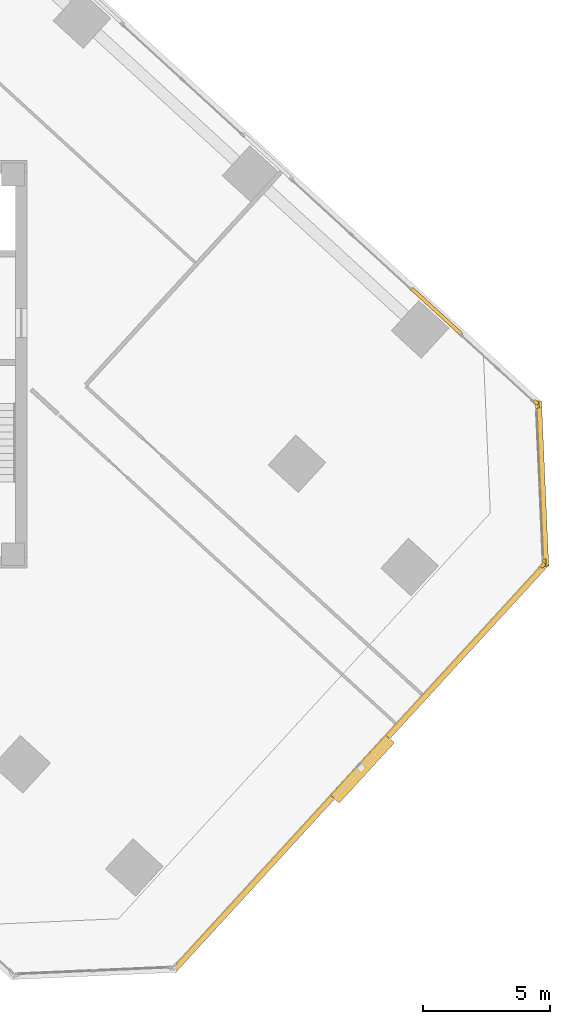
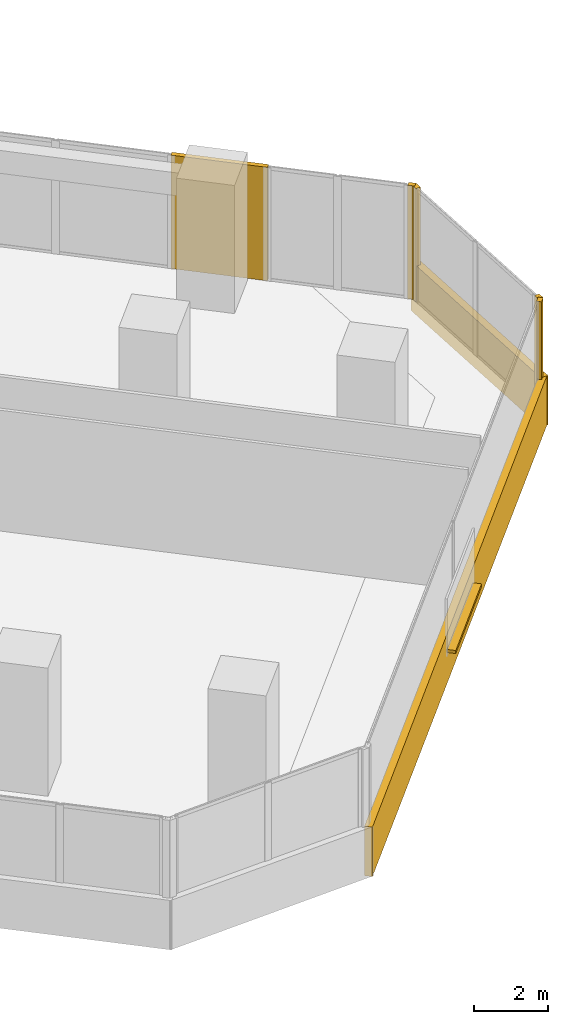
# One storey, part 17 of 18: 7 coverings, 1 shading device.
"""IFC4 building model written with IfcOpenShell, lengths in metres."""

from ifc_helpers import new_model, si_unit, direction, frame, origin, origin_2d, place, context, subcontext, project, spatial, rectangle, extrude, source, transform, mapped, material, layer, layer_set, type_object, element, save


model = new_model("IFC4")

# Units and contexts
model_context = context("Model", 3, precision=1e-05, world=origin(), true_north=direction((0.0, 1.0)))
body_context = subcontext(model_context, "Body", "Model", "MODEL_VIEW")
ifc_project = project(units=[si_unit("LENGTHUNIT", "METRE"), si_unit("AREAUNIT", "SQUARE_METRE"), si_unit("VOLUMEUNIT", "CUBIC_METRE"), si_unit("PLANEANGLEUNIT", "RADIAN"), si_unit("MASSUNIT", "GRAM", prefix="KILO")], contexts=[model_context])

# Site, building, storey
site_placement = place(None, origin())
site = spatial("IfcSite", under=ifc_project, at=site_placement, CompositionType="ELEMENT")
building_placement = place(site_placement, origin())
building = spatial("IfcBuilding", under=site, at=building_placement, Name="Torre Montelarca", CompositionType="ELEMENT")
storey_placement = place(building_placement, frame((0.0, 0.0, 237.39990234375)))
storey = spatial("IfcBuildingStorey", under=building, at=storey_placement, Name="L53", CompositionType="ELEMENT", Elevation=237.39990234375)

# Covering
ifc_material_1 = material(Name="Bush-hammered warm white precast concrete C45/55", Category="concrete")
ifc_layer_1 = layer(ifc_material_1, 0.139892578125, Name="Bush-hammered warm white precast concrete C45/55", Category="concrete")
ifc_layer_set_1 = layer_set([ifc_layer_1], Name="Bush-hammered warm white precast concrete C45/55")
covering_type = type_object("IfcCoveringType", Name="COV-TRAY-CLAD", PredefinedType="CLADDING", material=ifc_layer_set_1)
shared_shape_1 = source(origin(), body_context, "Body", "SweptSolid", [
    extrude(rectangle(XDim=6.48388671875, YDim=0.219970703125, at=origin_2d()), origin(), (0.0, 0.0, 1.0), 1.6201171875),
])
covering_1_placement = place(storey_placement, frame((47.22509765625, 27.3193359375, -0.449951171875), z_axis=(0.0, 0.0, 1.0), x_axis=(-0.043621131033, 0.99904814545, 0.0)))
element("IfcCovering", 1, at=covering_1_placement, inside=storey, type_object=covering_type, Name="L53 Architectural White Spandrel Tray Band TRYBOT-07", PredefinedType="CLADDING", context=body_context, shape_type="MappedRepresentation", body=[
    mapped(shared_shape_1, transform((0.0, 0.0, 0.0), scale=1.0)),
])

# Shading device
ifc_material_2 = material(Name="Anodised champagne bronze aluminium AA 6063-T6", Category="aluminium")
ifc_layer_2 = layer(ifc_material_2, 0.070068359375, Name="Anodised champagne bronze aluminium AA 6063-T6", Category="aluminium")
ifc_layer_set_2 = layer_set([ifc_layer_2], Name="Anodised champagne bronze aluminium AA 6063-T6")
shading_device_type = type_object("IfcShadingDeviceType", Name="SHD-SUNSHADE-1", PredefinedType="USERDEFINED", material=ifc_layer_set_2)
shared_shape_2 = source(origin(), body_context, "Body", "SweptSolid", [
    extrude(rectangle(XDim=3.199951171875, YDim=0.47998046875, at=origin_2d()), origin(), (0.0, 0.0, 1.0), 0.10009765625),
])
shading_device_placement = place(storey_placement, frame((40.156494140625, 16.125, 0.570068359375), z_axis=(0.0, 0.0, 1.0), x_axis=(0.675594067982, 0.737273799418, 0.0)))
element("IfcShadingDevice", 2, at=shading_device_placement, inside=storey, type_object=shading_device_type, Name="L53 Facade Solar Shading Device E6", ObjectType="SUNSHADE", PredefinedType="USERDEFINED", context=body_context, shape_type="MappedRepresentation", body=[
    mapped(shared_shape_2, transform((0.0, 0.0, 0.0), scale=1.0)),
])

# Coverings
shared_shape_3 = source(origin(), body_context, "Body", "SweptSolid", [
    extrude(rectangle(XDim=0.199951171875, YDim=0.139892578125, at=origin_2d()), origin(), (0.0, 0.0, 1.0), 3.719970703125),
])
for number, where, z_axis, x_axis, name in (
    (3, (47.24951171875, 24.1171875, 0.0), (0.0, 0.0, 1.0), (0.675592781195, 0.737274978551, 0.0), "L53 Architectural Column Pier Cladding E06-2"),
    (4, (47.299072265625, 24.25341796875, 0.0), (0.0, 0.0, 1.0), (-0.043628105704, 0.999047840893, 0.0), "L53 Architectural Column Pier Cladding E07-1"),
    (5, (47.031494140625, 30.3798828125, 0.0), (0.0, 0.0, 1.0), (-0.043628105704, 0.999047840893, 0.0), "L53 Architectural Column Pier Cladding E07-2"),
    (6, (46.97021484375, 30.511474609375, 0.0), (0.0, 0.0, 1.0), (-0.73727733681, 0.675590207616, 0.0), "L53 Architectural Column Pier Cladding E08-1"),
):
    element("IfcCovering", number, at=place(storey_placement, frame(where, z_axis=z_axis, x_axis=x_axis)), inside=storey, type_object=covering_type, Name=name, PredefinedType="CLADDING", context=body_context, shape_type="MappedRepresentation", body=[
        mapped(shared_shape_3, transform((0.0, 0.0, 0.0), scale=1.0)),
    ])
shared_shape_4 = source(origin(), body_context, "Body", "SweptSolid", [
    extrude(rectangle(XDim=21.719970703125, YDim=0.219970703125, at=origin_2d()), origin(), (0.0, 0.0, 1.0), 1.6201171875),
])
covering_2_placement = place(storey_placement, frame((40.075439453125, 16.199462890625, -0.449951171875), z_axis=(0.0, 0.0, 1.0), x_axis=(0.675594067982, 0.737273799418, 0.0)))
element("IfcCovering", 7, at=covering_2_placement, inside=storey, type_object=covering_type, Name="L53 Architectural White Spandrel Tray Band TRYBOT-06", PredefinedType="CLADDING", context=body_context, shape_type="MappedRepresentation", body=[
    mapped(shared_shape_4, transform((0.0, 0.0, 0.0), scale=1.0)),
])
shared_shape_5 = source(origin(), body_context, "Body", "SweptSolid", [
    extrude(rectangle(XDim=2.659912109375, YDim=0.139892578125, at=origin_2d()), origin(), (0.0, 0.0, 1.0), 3.719970703125),
])
covering_3_placement = place(storey_placement, frame((43.07421875, 34.08154296875, 0.0), z_axis=(0.0, 0.0, 1.0), x_axis=(-0.73727733681, 0.675590207616, 0.0)))
element("IfcCovering", 8, at=covering_3_placement, inside=storey, type_object=covering_type, Name="L53 Architectural Column Pier Cladding E08-2", PredefinedType="CLADDING", context=body_context, shape_type="MappedRepresentation", body=[
    mapped(shared_shape_5, transform((0.0, 0.0, 0.0), scale=1.0)),
])

save(model, "model.ifc")
